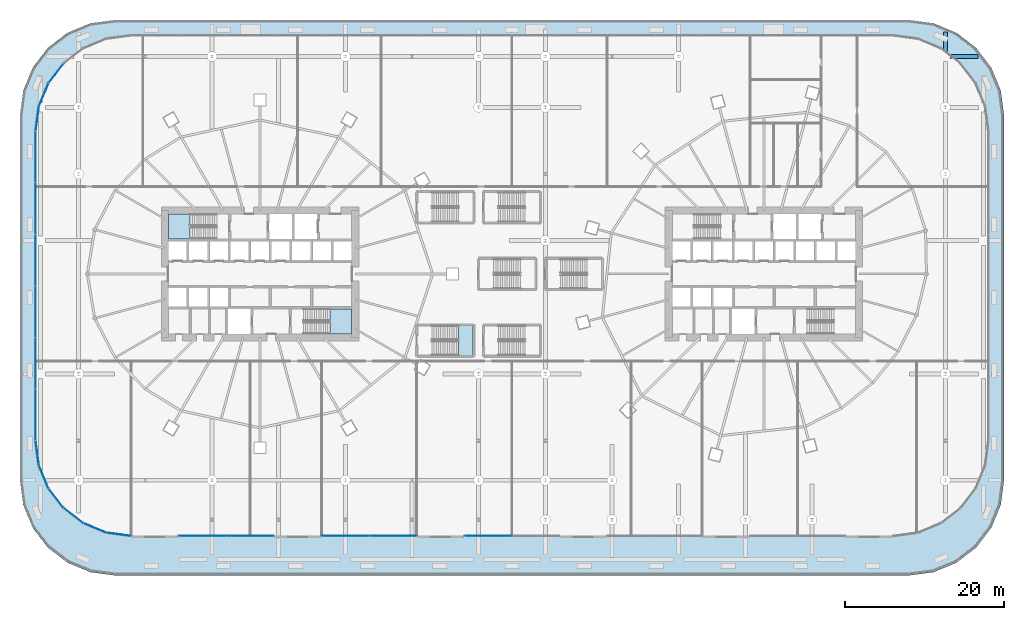
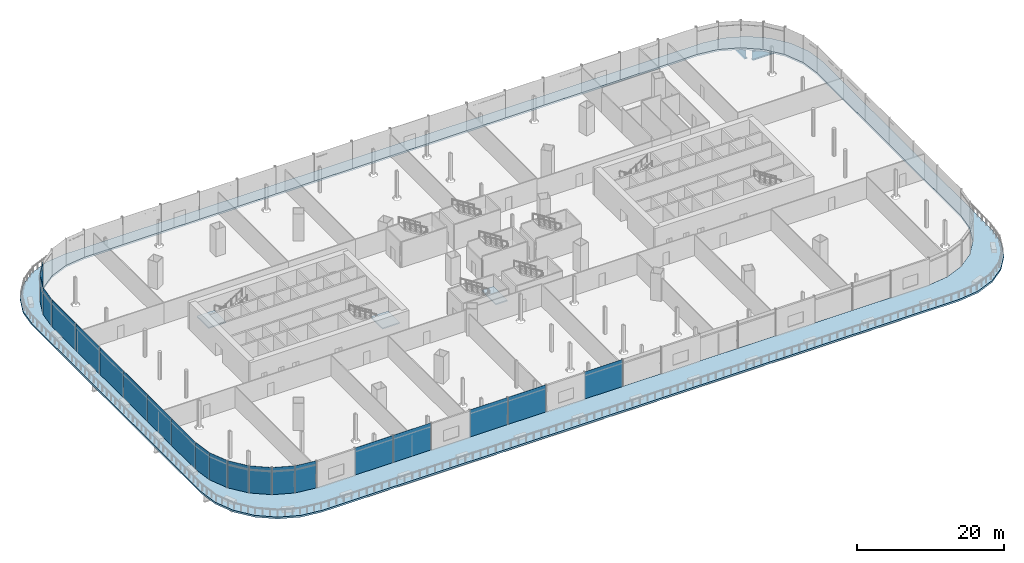
# One storey, part 34 of 56: 20 plates, 4 slabs, 2 beams, 4 elements without a shape of their own.
"""IFC4 building model written with IfcOpenShell, lengths in metres."""

from ifc_helpers import new_model, si_unit, direction, frame, origin, origin_2d, place, context, subcontext, project, spatial, polyline, rectangle, i_section, outline, extrude, material, layer, layer_set, material_profile, profile_set, type_object, element, aggregate, save


model = new_model("IFC4")

# Units and contexts
model_context = context("Model", 3, precision=1e-05, world=origin(), true_north=direction((0.0, 1.0)))
body_context = subcontext(model_context, "Body", "Model", "MODEL_VIEW")
ifc_project = project(units=[si_unit("LENGTHUNIT", "METRE"), si_unit("AREAUNIT", "SQUARE_METRE"), si_unit("VOLUMEUNIT", "CUBIC_METRE"), si_unit("PLANEANGLEUNIT", "RADIAN"), si_unit("MASSUNIT", "GRAM", prefix="KILO")], contexts=[model_context])

# Site, building, storey
site_placement = place(None, origin())
site = spatial("IfcSite", under=ifc_project, at=site_placement, CompositionType="ELEMENT")
building_placement = place(site_placement, origin())
building = spatial("IfcBuilding", under=site, at=building_placement, Name="Rimbun Link Towers", CompositionType="ELEMENT")
storey_placement = place(building_placement, frame((0.0, 0.0, 16.5)))
storey = spatial("IfcBuildingStorey", under=building, at=storey_placement, Name="L03", CompositionType="ELEMENT", Elevation=16.5)

# Beams
ifc_material_1 = material(Name="Steel S355J2", Category="steel")
ifc_material_profile = material_profile(ifc_material_1, i_section(OverallWidth=0.5, OverallDepth=1.5, WebThickness=0.030029296875, FlangeThickness=0.050048828125, at=origin_2d()), Name="PG 1500x500x30/50")
ifc_profile_set = profile_set([ifc_material_profile], Name="Steel S355J2")
beam_type = type_object("IfcBeamType", Name="PG 1500x500x30/50", PredefinedType="BEAM", material=ifc_profile_set)
beam_1_placement = place(storey_placement, frame((55.199951171875, 27.39990234375, -1.050048828125), z_axis=(1.0, 0.0, 0.0), x_axis=(0.0, 1.0, 0.0)))
element("IfcBeam", 1, at=beam_1_placement, inside=storey, type_object=beam_type, Name="Grid beam L03 +27.4", PredefinedType="BEAM", context=body_context, shape_type="SweptSolid", body=[
    extrude(i_section(OverallWidth=0.5, OverallDepth=1.5, WebThickness=0.030029296875, FlangeThickness=0.050048828125, at=origin_2d()), origin(), (0.0, 0.0, 1.0), 3.5),
])
beam_2_placement = place(storey_placement, frame((54.60009765625, 28.0, -1.050048828125), z_axis=(0.0, 1.0, 0.0), x_axis=(-1.0, 0.0, 0.0)))
element("IfcBeam", 2, at=beam_2_placement, inside=storey, type_object=beam_type, Name="Grid beam L03 +54.6", PredefinedType="BEAM", context=body_context, shape_type="SweptSolid", body=[
    extrude(i_section(OverallWidth=0.5, OverallDepth=1.5, WebThickness=0.030029296875, FlangeThickness=0.050048828125, at=origin_2d()), origin(), (0.0, 0.0, 1.0), 2.489013671875),
])

# Curtain wall, plates
ifc_material_2 = material(Name="Aluminium 6063-T6 and low-iron glass", Category="aluminium")
curtain_wall_type = type_object("IfcCurtainWallType", Name="CW3 podium shopfront", PredefinedType="NOTDEFINED", material=ifc_material_2)
curtain_wall_placement = place(storey_placement, origin())
curtain_wall = element("IfcCurtainWall", 3, at=curtain_wall_placement, inside=storey, type_object=curtain_wall_type, Name="CW3 L03 PD", PredefinedType="NOTDEFINED")
ifc_material_3 = material(Name="Clear toughened low-iron glass", Category="glass")
ifc_layer_1 = layer(ifc_material_3, 0.02392578125)
ifc_layer_set_1 = layer_set([ifc_layer_1], Name="CW3 panel Clear toughened low-iron glass 24")
plate_type = type_object("IfcPlateType", Name="CW3 panel Clear toughened low-iron glass 24", PredefinedType="CURTAIN_PANEL", material=ifc_layer_set_1)
plate_1_placement = place(storey_placement, frame((-57.4482421875, 25.25, 0.0), z_axis=(0.0, 0.0, 1.0), x_axis=(0.608753841569, 0.793359162281, 0.0)))
plate_1 = element("IfcPlate", 4, at=plate_1_placement, type_object=plate_type, Name="CW3 panel", PredefinedType="CURTAIN_PANEL", context=body_context, shape_type="SweptSolid", body=[
    extrude(rectangle(XDim=3.092529296875, YDim=0.02392578125, at=origin_2d()), origin(), (0.0, 0.0, 1.0), 4.5),
])
plate_2_placement = place(storey_placement, frame((-59.002685546875, 22.557373046875, 0.0), z_axis=(0.0, 0.0, 1.0), x_axis=(0.382678829747, 0.923881438965, 0.0)))
plate_2 = element("IfcPlate", 5, at=plate_2_placement, type_object=plate_type, Name="CW3 panel", PredefinedType="CURTAIN_PANEL", context=body_context, shape_type="SweptSolid", body=[
    extrude(rectangle(XDim=3.0927734375, YDim=0.02392578125, at=origin_2d()), origin(), (0.0, 0.0, 1.0), 4.5),
])
plate_3_placement = place(storey_placement, frame((-59.807373046875, 19.554443359375, 0.0), z_axis=(0.0, 0.0, 1.0), x_axis=(0.130530482602, 0.991444296525, 0.0)))
plate_3 = element("IfcPlate", 6, at=plate_3_placement, type_object=plate_type, Name="CW3 panel", PredefinedType="CURTAIN_PANEL", context=body_context, shape_type="SweptSolid", body=[
    extrude(rectangle(XDim=3.092529296875, YDim=0.02392578125, at=origin_2d()), origin(), (0.0, 0.0, 1.0), 4.5),
])
plate_4_placement = place(storey_placement, frame((-60.011962890625, 14.75, 0.0), z_axis=(0.0, 0.0, 1.0), x_axis=(0.0, 1.0, 0.0)))
plate_4 = element("IfcPlate", 7, at=plate_4_placement, type_object=plate_type, Name="CW3 panel", PredefinedType="CURTAIN_PANEL", context=body_context, shape_type="SweptSolid", body=[
    extrude(rectangle(XDim=6.4599609375, YDim=0.02392578125, at=origin_2d()), origin(), (0.0, 0.0, 1.0), 4.5),
])
plate_5_placement = place(storey_placement, frame((-60.011962890625, 8.25, 0.0), z_axis=(0.0, 0.0, 1.0), x_axis=(0.0, 1.0, 0.0)))
plate_5 = element("IfcPlate", 8, at=plate_5_placement, type_object=plate_type, Name="CW3 panel", PredefinedType="CURTAIN_PANEL", context=body_context, shape_type="SweptSolid", body=[
    extrude(rectangle(XDim=6.4599609375, YDim=0.02392578125, at=origin_2d()), origin(), (0.0, 0.0, 1.0), 4.5),
])
plate_6_placement = place(storey_placement, frame((-60.011962890625, 1.75, 0.0), z_axis=(0.0, 0.0, 1.0), x_axis=(0.0, 1.0, 0.0)))
plate_6 = element("IfcPlate", 9, at=plate_6_placement, type_object=plate_type, Name="CW3 panel", PredefinedType="CURTAIN_PANEL", context=body_context, shape_type="SweptSolid", body=[
    extrude(rectangle(XDim=6.4599609375, YDim=0.02392578125, at=origin_2d()), origin(), (0.0, 0.0, 1.0), 4.5),
])
plate_7_placement = place(storey_placement, frame((-60.011962890625, -4.75, 0.0), z_axis=(0.0, 0.0, 1.0), x_axis=(0.0, 1.0, 0.0)))
plate_7 = element("IfcPlate", 10, at=plate_7_placement, type_object=plate_type, Name="CW3 panel", PredefinedType="CURTAIN_PANEL", context=body_context, shape_type="SweptSolid", body=[
    extrude(rectangle(XDim=6.4599609375, YDim=0.02392578125, at=origin_2d()), origin(), (0.0, 0.0, 1.0), 4.5),
])
plate_8_placement = place(storey_placement, frame((-60.011962890625, -11.25, 0.0), z_axis=(0.0, 0.0, 1.0), x_axis=(0.0, 1.0, 0.0)))
plate_8 = element("IfcPlate", 11, at=plate_8_placement, type_object=plate_type, Name="CW3 panel", PredefinedType="CURTAIN_PANEL", context=body_context, shape_type="SweptSolid", body=[
    extrude(rectangle(XDim=6.4599609375, YDim=0.02392578125, at=origin_2d()), origin(), (0.0, 0.0, 1.0), 4.5),
])
plate_9_placement = place(storey_placement, frame((-60.011962890625, -17.75, 0.0), z_axis=(0.0, 0.0, 1.0), x_axis=(0.0, 1.0, 0.0)))
plate_9 = element("IfcPlate", 12, at=plate_9_placement, type_object=plate_type, Name="CW3 panel", PredefinedType="CURTAIN_PANEL", context=body_context, shape_type="SweptSolid", body=[
    extrude(rectangle(XDim=6.4599609375, YDim=0.02392578125, at=origin_2d()), origin(), (0.0, 0.0, 1.0), 4.5),
])
plate_10_placement = place(storey_placement, frame((-59.807373046875, -22.554443359375, 0.0), z_axis=(0.0, 0.0, 1.0), x_axis=(-0.130530482602, 0.991444296525, 0.0)))
plate_10 = element("IfcPlate", 13, at=plate_10_placement, type_object=plate_type, Name="CW3 panel", PredefinedType="CURTAIN_PANEL", context=body_context, shape_type="SweptSolid", body=[
    extrude(rectangle(XDim=3.092529296875, YDim=0.02392578125, at=origin_2d()), origin(), (0.0, 0.0, 1.0), 4.5),
])
plate_11_placement = place(storey_placement, frame((-59.002685546875, -25.557373046875, 0.0), z_axis=(0.0, 0.0, 1.0), x_axis=(-0.382678829747, 0.923881438965, 0.0)))
plate_11 = element("IfcPlate", 14, at=plate_11_placement, type_object=plate_type, Name="CW3 panel", PredefinedType="CURTAIN_PANEL", context=body_context, shape_type="SweptSolid", body=[
    extrude(rectangle(XDim=3.0927734375, YDim=0.02392578125, at=origin_2d()), origin(), (0.0, 0.0, 1.0), 4.5),
])
plate_12_placement = place(storey_placement, frame((-57.4482421875, -28.25, 0.0), z_axis=(0.0, 0.0, 1.0), x_axis=(-0.608753841569, 0.793359162281, 0.0)))
plate_12 = element("IfcPlate", 15, at=plate_12_placement, type_object=plate_type, Name="CW3 panel", PredefinedType="CURTAIN_PANEL", context=body_context, shape_type="SweptSolid", body=[
    extrude(rectangle(XDim=3.092529296875, YDim=0.02392578125, at=origin_2d()), origin(), (0.0, 0.0, 1.0), 4.5),
])
plate_13_placement = place(storey_placement, frame((-55.25, -30.4482421875, 0.0), z_axis=(0.0, 0.0, 1.0), x_axis=(-0.793359162281, 0.608753841569, 0.0)))
plate_13 = element("IfcPlate", 16, at=plate_13_placement, type_object=plate_type, Name="CW3 panel", PredefinedType="CURTAIN_PANEL", context=body_context, shape_type="SweptSolid", body=[
    extrude(rectangle(XDim=3.092529296875, YDim=0.02392578125, at=origin_2d()), origin(), (0.0, 0.0, 1.0), 4.5),
])
plate_14_placement = place(storey_placement, frame((-52.557373046875, -32.002685546875, 0.0), z_axis=(0.0, 0.0, 1.0), x_axis=(-0.923881438965, 0.382678829747, 0.0)))
plate_14 = element("IfcPlate", 17, at=plate_14_placement, type_object=plate_type, Name="CW3 panel", PredefinedType="CURTAIN_PANEL", context=body_context, shape_type="SweptSolid", body=[
    extrude(rectangle(XDim=3.0927734375, YDim=0.02392578125, at=origin_2d()), origin(), (0.0, 0.0, 1.0), 4.5),
])
plate_15_placement = place(storey_placement, frame((-49.554443359375, -32.807373046875, 0.0), z_axis=(0.0, 0.0, 1.0), x_axis=(-0.991444296525, 0.130530482602, 0.0)))
plate_15 = element("IfcPlate", 18, at=plate_15_placement, type_object=plate_type, Name="CW3 panel", PredefinedType="CURTAIN_PANEL", context=body_context, shape_type="SweptSolid", body=[
    extrude(rectangle(XDim=3.092529296875, YDim=0.02392578125, at=origin_2d()), origin(), (0.0, 0.0, 1.0), 4.5),
])
plate_16_placement = place(storey_placement, frame((-39.0, -33.011962890625, 0.0), z_axis=(0.0, 0.0, 1.0), x_axis=(-1.0, 0.0, 0.0)))
plate_16 = element("IfcPlate", 19, at=plate_16_placement, type_object=plate_type, Name="CW3 panel", PredefinedType="CURTAIN_PANEL", context=body_context, shape_type="SweptSolid", body=[
    extrude(rectangle(XDim=5.9599609375, YDim=0.02392578125, at=origin_2d()), origin(), (0.0, 0.0, 1.0), 4.5),
])
plate_17_placement = place(storey_placement, frame((-33.0, -33.011962890625, 0.0), z_axis=(0.0, 0.0, 1.0), x_axis=(-1.0, 0.0, 0.0)))
plate_17 = element("IfcPlate", 20, at=plate_17_placement, type_object=plate_type, Name="CW3 panel", PredefinedType="CURTAIN_PANEL", context=body_context, shape_type="SweptSolid", body=[
    extrude(rectangle(XDim=5.9599609375, YDim=0.02392578125, at=origin_2d()), origin(), (0.0, 0.0, 1.0), 4.5),
])
plate_18_placement = place(storey_placement, frame((-21.0, -33.011962890625, 0.0), z_axis=(0.0, 0.0, 1.0), x_axis=(-1.0, 0.0, 0.0)))
plate_18 = element("IfcPlate", 21, at=plate_18_placement, type_object=plate_type, Name="CW3 panel", PredefinedType="CURTAIN_PANEL", context=body_context, shape_type="SweptSolid", body=[
    extrude(rectangle(XDim=5.9599609375, YDim=0.02392578125, at=origin_2d()), origin(), (0.0, 0.0, 1.0), 4.5),
])
plate_19_placement = place(storey_placement, frame((-15.0, -33.011962890625, 0.0), z_axis=(0.0, 0.0, 1.0), x_axis=(-1.0, 0.0, 0.0)))
plate_19 = element("IfcPlate", 22, at=plate_19_placement, type_object=plate_type, Name="CW3 panel", PredefinedType="CURTAIN_PANEL", context=body_context, shape_type="SweptSolid", body=[
    extrude(rectangle(XDim=5.9599609375, YDim=0.02392578125, at=origin_2d()), origin(), (0.0, 0.0, 1.0), 4.5),
])
plate_20_placement = place(storey_placement, frame((-3.0, -33.011962890625, 0.0), z_axis=(0.0, 0.0, 1.0), x_axis=(-1.0, 0.0, 0.0)))
plate_20 = element("IfcPlate", 23, at=plate_20_placement, type_object=plate_type, Name="CW3 panel", PredefinedType="CURTAIN_PANEL", context=body_context, shape_type="SweptSolid", body=[
    extrude(rectangle(XDim=5.9599609375, YDim=0.02392578125, at=origin_2d()), origin(), (0.0, 0.0, 1.0), 4.5),
])
aggregate(curtain_wall, [plate_1, plate_2, plate_3, plate_4, plate_5, plate_6, plate_7, plate_8, plate_9, plate_10, plate_11, plate_12, plate_13, plate_14, plate_15, plate_16, plate_17, plate_18, plate_19, plate_20])

# Slab
ifc_material_4 = material(Name="Concrete C40/50", Category="concrete")
ifc_layer_2 = layer(ifc_material_4, 0.300048828125)
ifc_layer_set_2 = layer_set([ifc_layer_2], Name="PODIUM TERRACE SLAB 300")
slab_type_1 = type_object("IfcSlabType", Name="PODIUM TERRACE SLAB 300", PredefinedType="FLOOR", material=ifc_layer_set_2)
slab_1_placement = place(storey_placement, frame((0.0, 0.0, -0.300048828125)))
element("IfcSlab", 24, at=slab_1_placement, inside=storey, type_object=slab_type_1, Name="Terrace slab L03", PredefinedType="FLOOR", context=body_context, shape_type="SweptSolid", body=[
    extrude(outline(polyline([(-53.105712890625, -37.591064453125), (-56.0, -36.392333984375), (-58.4853515625, -34.4853515625), (-60.392333984375, -32.0), (-61.591064453125, -29.105712890625), (-62.0, -26.0), (-62.0, 20.0), (-61.591064453125, 23.105712890625), (-60.392333984375, 26.0), (-58.4853515625, 28.4853515625), (-56.0, 30.392333984375), (-53.105712890625, 31.591064453125), (-50.0, 32.0), (50.0, 32.0), (53.105712890625, 31.591064453125), (56.0, 30.392333984375), (58.4853515625, 28.4853515625), (60.392333984375, 26.0), (61.591064453125, 23.105712890625), (62.0, 20.0), (62.0, -26.0), (61.591064453125, -29.105712890625), (60.392333984375, -32.0), (58.4853515625, -34.4853515625), (56.0, -36.392333984375), (53.105712890625, -37.591064453125), (50.0, -38.0), (-50.0, -38.0), (-53.105712890625, -37.591064453125)]), holes=[polyline([(-56.4853515625, -29.4853515625), (-54.0, -31.392333984375), (-51.105712890625, -32.591064453125), (-48.0, -33.0), (48.0, -33.0), (51.105712890625, -32.591064453125), (54.0, -31.392333984375), (56.4853515625, -29.4853515625), (58.392333984375, -27.0), (59.591064453125, -24.105712890625), (60.0, -21.0), (60.0, 18.0), (59.591064453125, 21.105712890625), (58.392333984375, 24.0), (56.4853515625, 26.4853515625), (54.0, 28.392333984375), (51.105712890625, 29.591064453125), (48.0, 30.0), (-48.0, 30.0), (-51.105712890625, 29.591064453125), (-54.0, 28.392333984375), (-56.4853515625, 26.4853515625), (-58.392333984375, 24.0), (-59.591064453125, 21.105712890625), (-60.0, 18.0), (-60.0, -21.0), (-59.591064453125, -24.105712890625), (-58.392333984375, -27.0), (-56.4853515625, -29.4853515625)])]), origin(), (0.0, 0.0, 1.0), 0.300048828125),
])

# Stair, slab
ifc_material_5 = material(Name="Concrete C40/50", Category="concrete")
stair_type_1 = type_object("IfcStairType", Name="Exit stair 4500 rise", PredefinedType="HALF_TURN_STAIR", material=ifc_material_5)
stair_1_placement = place(storey_placement, origin())
stair_1 = element("IfcStair", 25, at=stair_1_placement, inside=storey, type_object=stair_type_1, Name="L03 EXIT STAIR A", PredefinedType="HALF_TURN_STAIR")
ifc_material_6 = material(Name="Concrete C40/50", Category="concrete")
ifc_layer_3 = layer(ifc_material_6, 0.199951171875)
ifc_layer_set_3 = layer_set([ifc_layer_3], Name="Stair landing")
slab_type_2 = type_object("IfcSlabType", Name="Stair landing", PredefinedType="LANDING", material=ifc_layer_set_3)
slab_2_placement = place(storey_placement, frame((0.0, 0.0, 2.050048828125)))
slab_2 = element("IfcSlab", 26, at=slab_2_placement, type_object=slab_type_2, Name="ST1 landing 1", PredefinedType="LANDING", context=body_context, shape_type="SweptSolid", body=[
    extrude(outline(polyline([(-40.56005859375, 7.550048828125), (-43.300048828125, 7.550048828125), (-43.300048828125, 4.39990234375), (-40.56005859375, 4.39990234375), (-40.56005859375, 7.550048828125)])), origin(), (0.0, 0.0, 1.0), 0.199951171875),
])
aggregate(stair_1, [slab_2])

stair_2_placement = place(storey_placement, origin())
stair_2 = element("IfcStair", 27, at=stair_2_placement, inside=storey, type_object=stair_type_1, Name="L03 EXIT STAIR B", PredefinedType="HALF_TURN_STAIR")
slab_3_placement = place(storey_placement, frame((0.0, 0.0, 2.050048828125)))
slab_3 = element("IfcSlab", 28, at=slab_3_placement, type_object=slab_type_2, Name="ST2 landing 1", PredefinedType="LANDING", context=body_context, shape_type="SweptSolid", body=[
    extrude(outline(polyline([(-22.93994140625, -7.550048828125), (-20.199951171875, -7.550048828125), (-20.199951171875, -4.39990234375), (-22.93994140625, -4.39990234375), (-22.93994140625, -7.550048828125)])), origin(), (0.0, 0.0, 1.0), 0.199951171875),
])
aggregate(stair_2, [slab_3])

ifc_material_7 = material(Name="Concrete C40/50", Category="concrete")
stair_type_2 = type_object("IfcStairType", Name="Podium exit stair 1800", PredefinedType="HALF_TURN_STAIR", material=ifc_material_7)
stair_3_placement = place(storey_placement, origin())
stair_3 = element("IfcStair", 29, at=stair_3_placement, inside=storey, type_object=stair_type_2, Name="L03 PODIUM EXIT STAIR", PredefinedType="HALF_TURN_STAIR")
slab_4_placement = place(storey_placement, frame((0.0, 0.0, 2.050048828125)))
slab_4 = element("IfcSlab", 30, at=slab_4_placement, type_object=slab_type_2, Name="PS1 landing 1", PredefinedType="LANDING", context=body_context, shape_type="SweptSolid", body=[
    extrude(outline(polyline([(-6.739990234375, -10.27490234375), (-4.89990234375, -10.27490234375), (-4.89990234375, -6.52490234375), (-6.739990234375, -6.52490234375), (-6.739990234375, -10.27490234375)])), origin(), (0.0, 0.0, 1.0), 0.199951171875),
])
aggregate(stair_3, [slab_4])

save(model, "model.ifc")
